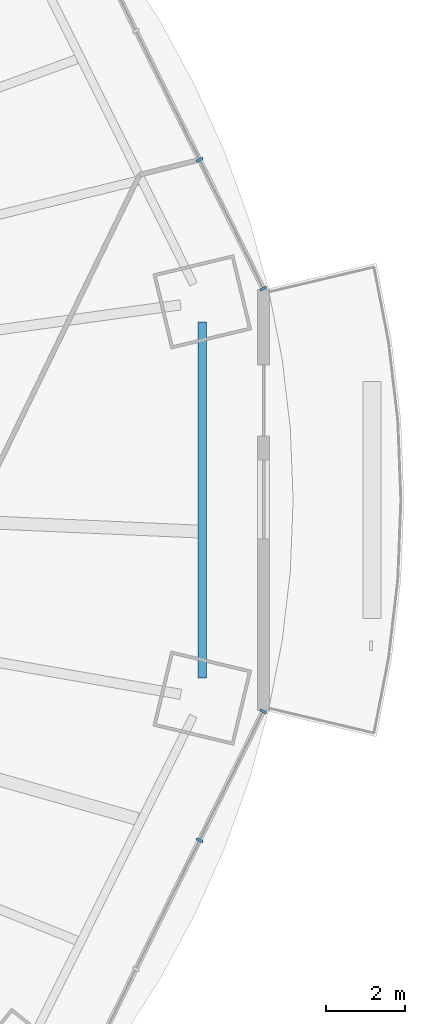
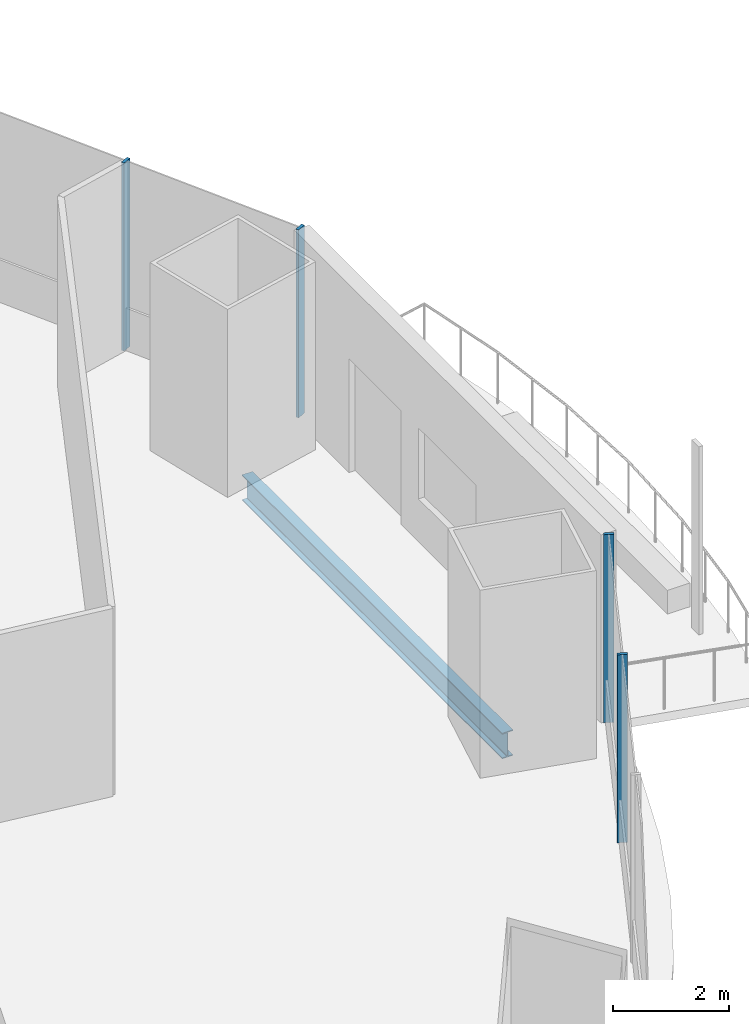
# One storey, part 9 of 20: 4 members, 1 beam, 2 elements without a shape of their own.
"""IFC4 building model written with IfcOpenShell, lengths in metres."""

from ifc_helpers import new_model, si_unit, direction, frame, origin, origin_2d, place, context, subcontext, project, spatial, rectangle, i_section, extrude, material, material_profile, profile_set, type_object, element, aggregate, save


model = new_model("IFC4")

# Units and contexts
model_context = context("Model", 3, precision=1e-05, world=origin(), true_north=direction((0.0, 1.0)))
body_context = subcontext(model_context, "Body", "Model", "MODEL_VIEW")
ifc_project = project(units=[si_unit("LENGTHUNIT", "METRE"), si_unit("AREAUNIT", "SQUARE_METRE"), si_unit("VOLUMEUNIT", "CUBIC_METRE"), si_unit("PLANEANGLEUNIT", "RADIAN"), si_unit("MASSUNIT", "GRAM", prefix="KILO")], contexts=[model_context])

# Site, building, storey
site_placement = place(None, origin())
site = spatial("IfcSite", under=ifc_project, at=site_placement, CompositionType="ELEMENT")
building_placement = place(site_placement, origin())
building = spatial("IfcBuilding", under=site, at=building_placement, Name="Marenthal Gate Tower", CompositionType="ELEMENT")
storey_placement = place(building_placement, frame((0.0, 0.0, 173.5)))
storey = spatial("IfcBuildingStorey", under=building, at=storey_placement, Name="L37", CompositionType="ELEMENT", Elevation=173.5)

# Curtain wall, members
ifc_material_1 = material(Name="Aluminium and glass", Category="aluminium")
curtain_wall_type = type_object("IfcCurtainWallType", Name="Curtain wall typical mid", PredefinedType="NOTDEFINED", material=ifc_material_1)
curtain_wall_1_placement = place(storey_placement, origin())
curtain_wall_1 = element("IfcCurtainWall", 1, at=curtain_wall_1_placement, inside=storey, type_object=curtain_wall_type, Name="Curtain wall L37 bay 1", PredefinedType="NOTDEFINED")
ifc_material_2 = material(Name="Aluminium", Category="aluminium")
ifc_material_profile_1 = material_profile(ifc_material_2, rectangle(XDim=0.179931640625, YDim=0.06005859375, at=origin_2d()), Name="60x180 aluminium mullion")
ifc_profile_set_1 = profile_set([ifc_material_profile_1], Name="Aluminium")
member_type = type_object("IfcMemberType", Name="Mullion 60x180 typical mid", PredefinedType="MULLION", material=ifc_profile_set_1)
member_1_placement = place(storey_placement, frame((33.6201171875, 4.73828125, 0.0), z_axis=(0.0, 0.0, 1.0), x_axis=(-0.89664343149, -0.442753381428, 0.0)))
member_1 = element("IfcMember", 2, at=member_1_placement, type_object=member_type, Name="Mullion L37 bay 1.1", PredefinedType="MULLION", context=body_context, shape_type="SweptSolid", body=[
    extrude(rectangle(XDim=0.179931640625, YDim=0.06005859375, at=origin_2d()), origin(), (0.0, 0.0, 1.0), 3.969970703125),
])
member_2_placement = place(storey_placement, frame((32.013427734375, 7.991943359375, 0.0), z_axis=(0.0, 0.0, 1.0), x_axis=(-0.89664343149, -0.442753381428, 0.0)))
member_2 = element("IfcMember", 3, at=member_2_placement, type_object=member_type, Name="Mullion L37 bay 1.2", PredefinedType="MULLION", context=body_context, shape_type="SweptSolid", body=[
    extrude(rectangle(XDim=0.179931640625, YDim=0.06005859375, at=origin_2d()), origin(), (0.0, 0.0, 1.0), 3.969970703125),
])
aggregate(curtain_wall_1, [member_1, member_2])

curtain_wall_2_placement = place(storey_placement, origin())
curtain_wall_2 = element("IfcCurtainWall", 4, at=curtain_wall_2_placement, inside=storey, type_object=curtain_wall_type, Name="Curtain wall L37 bay 15", PredefinedType="NOTDEFINED")
member_3_placement = place(storey_placement, frame((32.013427734375, -9.19189453125, 0.0), z_axis=(0.0, 0.0, 1.0), x_axis=(-0.89664343149, 0.442753381428, 0.0)))
member_3 = element("IfcMember", 5, at=member_3_placement, type_object=member_type, Name="Mullion L37 bay 15.3", PredefinedType="MULLION", context=body_context, shape_type="SweptSolid", body=[
    extrude(rectangle(XDim=0.179931640625, YDim=0.06005859375, at=origin_2d()), origin(), (0.0, 0.0, 1.0), 3.969970703125),
])
member_4_placement = place(storey_placement, frame((33.6201171875, -5.9384765625, 0.0), z_axis=(0.0, 0.0, 1.0), x_axis=(-0.89664343149, 0.442753381428, 0.0)))
member_4 = element("IfcMember", 6, at=member_4_placement, type_object=member_type, Name="Mullion L37 bay 15.4", PredefinedType="MULLION", context=body_context, shape_type="SweptSolid", body=[
    extrude(rectangle(XDim=0.179931640625, YDim=0.06005859375, at=origin_2d()), origin(), (0.0, 0.0, 1.0), 3.969970703125),
])
aggregate(curtain_wall_2, [member_3, member_4])

# Beam
ifc_material_3 = material(Name="Steel S355", Category="steel")
ifc_material_profile_2 = material_profile(ifc_material_3, i_section(OverallWidth=0.2119140625, OverallDepth=0.5439453125, WebThickness=0.01318359375, FlangeThickness=0.021240234375, FilletRadius=0.0126953125, at=origin_2d()), Name="W530X123")
ifc_profile_set_2 = profile_set([ifc_material_profile_2], Name="Steel S355")
beam_type = type_object("IfcBeamType", Name="W530X123 beam", PredefinedType="BEAM", material=ifc_profile_set_2)
beam_placement = place(storey_placement, frame((32.083740234375, -5.1005859375, -0.451904296875), z_axis=(0.0, 1.0, 0.0), x_axis=(-1.0, 0.0, 0.0)))
element("IfcBeam", 7, at=beam_placement, inside=storey, type_object=beam_type, Name="BM-L37-56", PredefinedType="BEAM", context=body_context, shape_type="SweptSolid", body=[
    extrude(i_section(OverallWidth=0.2119140625, OverallDepth=0.5439453125, WebThickness=0.01318359375, FlangeThickness=0.021240234375, FilletRadius=0.0126953125, at=origin_2d()), origin(), (0.0, 0.0, 1.0), 9.001220703125),
])

save(model, "model.ifc")
